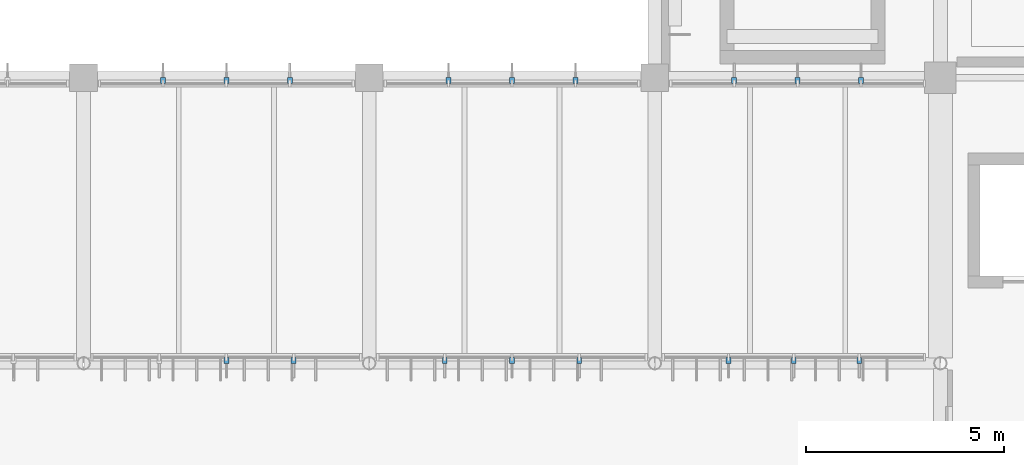
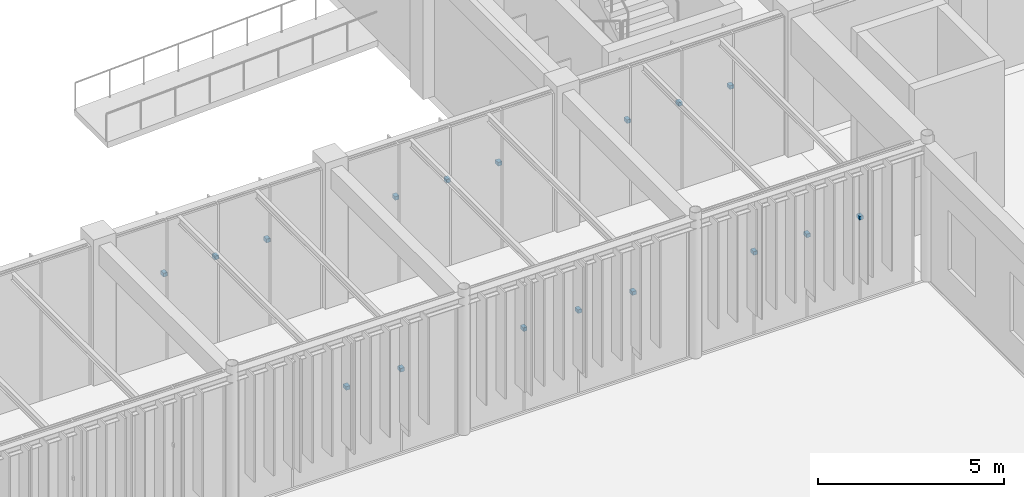
# One storey, part 46 of 122: 17 discrete accessories.
"""IFC4 building model written with IfcOpenShell, lengths in metres."""

from ifc_helpers import new_model, si_unit, direction, frame, origin, origin_2d, place, context, subcontext, project, spatial, rectangle, extrude, material, type_object, element, save


model = new_model("IFC4")

# Units and contexts
model_context = context("Model", 3, precision=1e-05, world=origin(), true_north=direction((0.0, 1.0)))
body_context = subcontext(model_context, "Body", "Model", "MODEL_VIEW")
ifc_project = project(units=[si_unit("LENGTHUNIT", "METRE"), si_unit("AREAUNIT", "SQUARE_METRE"), si_unit("VOLUMEUNIT", "CUBIC_METRE"), si_unit("PLANEANGLEUNIT", "RADIAN"), si_unit("MASSUNIT", "GRAM", prefix="KILO")], contexts=[model_context])

# Site, building, storey
site_placement = place(None, origin())
site = spatial("IfcSite", under=ifc_project, at=site_placement, CompositionType="ELEMENT")
building_placement = place(site_placement, origin())
building = spatial("IfcBuilding", under=site, at=building_placement, Name="Tazoul Stagehouse", CompositionType="ELEMENT")
storey_placement = place(building_placement, origin())
storey = spatial("IfcBuildingStorey", under=building, at=storey_placement, Name="L00", CompositionType="ELEMENT", Elevation=0.0)

# Discrete accessories
ifc_material = material(Name="Austenitic Stainless Steel EN 1.4401", Category="steel")
discrete_accessory_type = type_object("IfcDiscreteAccessoryType", Name="Stainless Steel Louvre Support Cleat Bracket", PredefinedType="BRACKET", material=ifc_material)
for number, where, z_axis, x_axis, name in (
    (1, (39.60009765625, 44.669921875, 2.66064453125), (0.0, 0.0, 1.0), (1.0, 0.0, 0.0), "Cleat Bracket BRK-01 CW-WLNK-S-L00-B2-BRK02"),
    (2, (41.294189453125, 44.669921875, 2.66064453125), (0.0, 0.0, 1.0), (1.0, 0.0, 0.0), "Cleat Bracket BRK-01 CW-WLNK-S-L00-B2-BRK03"),
    (3, (45.10595703125, 44.669921875, 2.66064453125), (0.0, 0.0, 1.0), (1.0, 0.0, 0.0), "Cleat Bracket BRK-01 CW-WLNK-S-L00-B3-BRK01"),
    (4, (46.800048828125, 44.669921875, 2.66064453125), (0.0, 0.0, 1.0), (1.0, 0.0, 0.0), "Cleat Bracket BRK-01 CW-WLNK-S-L00-B3-BRK02"),
    (5, (48.493896484375, 44.669921875, 2.66064453125), (0.0, 0.0, 1.0), (1.0, 0.0, 0.0), "Cleat Bracket BRK-01 CW-WLNK-S-L00-B3-BRK03"),
    (6, (52.259033203125, 44.669921875, 2.66064453125), (0.0, 0.0, 1.0), (1.0, 0.0, 0.0), "Cleat Bracket BRK-01 CW-WLNK-S-L00-B4-BRK01"),
    (7, (53.906005859375, 44.669921875, 2.66064453125), (0.0, 0.0, 1.0), (1.0, 0.0, 0.0), "Cleat Bracket BRK-01 CW-WLNK-S-L00-B4-BRK02"),
    (8, (55.552978515625, 44.669921875, 2.66064453125), (0.0, 0.0, 1.0), (1.0, 0.0, 0.0), "Cleat Bracket BRK-01 CW-WLNK-S-L00-B4-BRK03"),
    (9, (38.0, 51.72998046875, 2.66064453125), (0.0, 0.0, 1.0), (1.0, 0.0, 0.0), "Cleat Bracket BRK-01 CW-WLNK-N-L00-B2-BRK01"),
    (10, (39.60009765625, 51.72998046875, 2.66064453125), (0.0, 0.0, 1.0), (1.0, 0.0, 0.0), "Cleat Bracket BRK-01 CW-WLNK-N-L00-B2-BRK02"),
    (11, (41.199951171875, 51.72998046875, 2.66064453125), (0.0, 0.0, 1.0), (1.0, 0.0, 0.0), "Cleat Bracket BRK-01 CW-WLNK-N-L00-B2-BRK03"),
    (12, (45.199951171875, 51.72998046875, 2.66064453125), (0.0, 0.0, 1.0), (1.0, 0.0, 0.0), "Cleat Bracket BRK-01 CW-WLNK-N-L00-B3-BRK01"),
    (13, (46.800048828125, 51.72998046875, 2.66064453125), (0.0, 0.0, 1.0), (1.0, 0.0, 0.0), "Cleat Bracket BRK-01 CW-WLNK-N-L00-B3-BRK02"),
    (14, (48.39990234375, 51.72998046875, 2.66064453125), (0.0, 0.0, 1.0), (1.0, 0.0, 0.0), "Cleat Bracket BRK-01 CW-WLNK-N-L00-B3-BRK03"),
    (15, (52.39990234375, 51.72998046875, 2.66064453125), (0.0, 0.0, 1.0), (1.0, 0.0, 0.0), "Cleat Bracket BRK-01 CW-WLNK-N-L00-B4-BRK01"),
    (16, (54.0, 51.72998046875, 2.66064453125), (0.0, 0.0, 1.0), (1.0, 0.0, 0.0), "Cleat Bracket BRK-01 CW-WLNK-N-L00-B4-BRK02"),
    (17, (55.60009765625, 51.72998046875, 2.66064453125), (0.0, 0.0, 1.0), (1.0, 0.0, 0.0), "Cleat Bracket BRK-01 CW-WLNK-N-L00-B4-BRK03"),
):
    element("IfcDiscreteAccessory", number, at=place(storey_placement, frame(where, z_axis=z_axis, x_axis=x_axis)), inside=storey, type_object=discrete_accessory_type, Name=name, PredefinedType="BRACKET", context=body_context, shape_type="SweptSolid", body=[
        extrude(rectangle(XDim=0.1201171875, YDim=0.159912109375, at=origin_2d()), origin(), (0.0, 0.0, 1.0), 0.1201171875),
    ])

save(model, "model.ifc")
